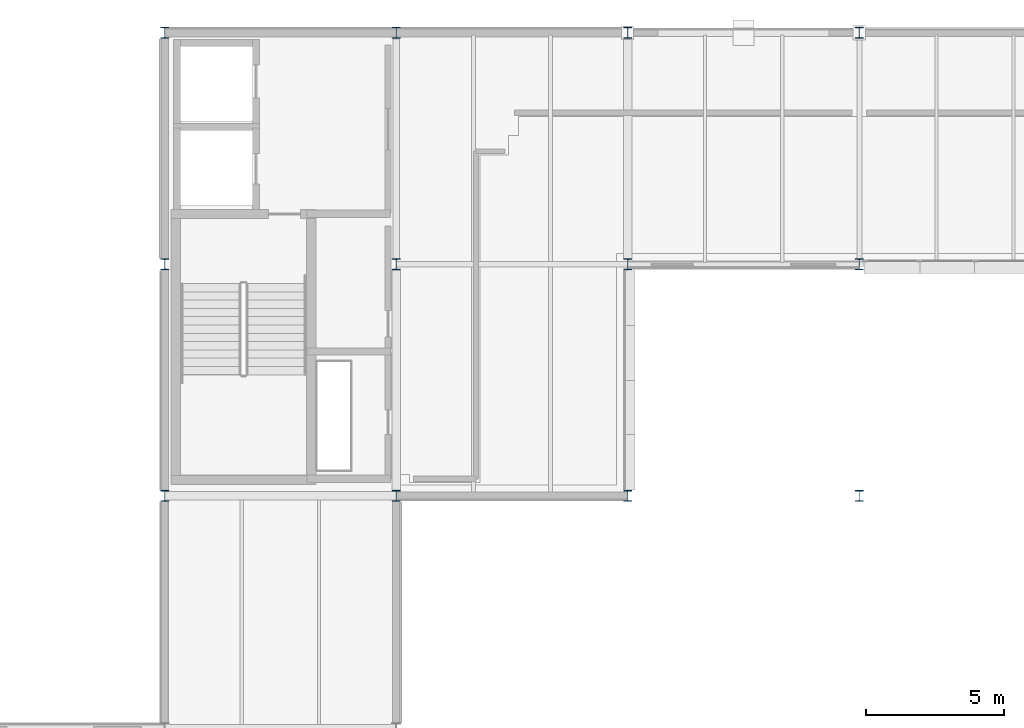
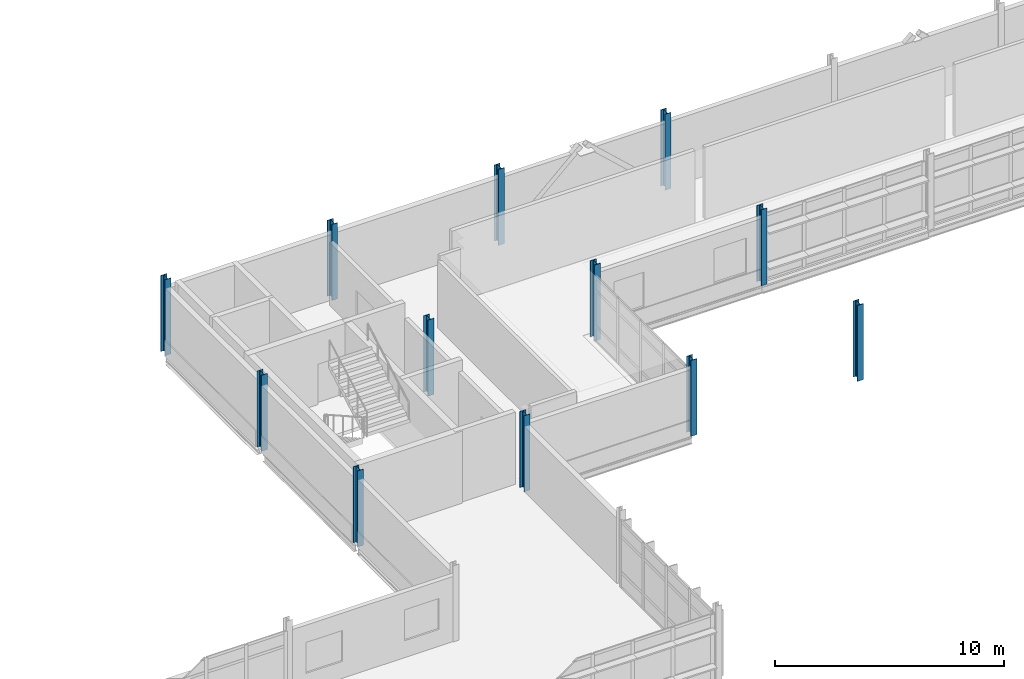
# One storey, part 5 of 103: 12 columns.
"""IFC4 building model written with IfcOpenShell, lengths in metres."""

from ifc_helpers import new_model, si_unit, direction, frame, origin, origin_2d, place, context, subcontext, project, spatial, i_section, extrude, material, material_profile, profile_set, type_object, element, save


model = new_model("IFC4")

# Units and contexts
model_context = context("Model", 3, precision=1e-05, world=origin(), true_north=direction((0.0, 1.0)))
body_context = subcontext(model_context, "Body", "Model", "MODEL_VIEW")
ifc_project = project(units=[si_unit("LENGTHUNIT", "METRE"), si_unit("AREAUNIT", "SQUARE_METRE"), si_unit("VOLUMEUNIT", "CUBIC_METRE"), si_unit("PLANEANGLEUNIT", "RADIAN"), si_unit("MASSUNIT", "GRAM", prefix="KILO")], contexts=[model_context])

# Site, building, storey
site_placement = place(None, origin())
site = spatial("IfcSite", under=ifc_project, at=site_placement, CompositionType="ELEMENT")
building_placement = place(site_placement, origin())
building = spatial("IfcBuilding", under=site, at=building_placement, Name="Mersafa Astral City Hall", CompositionType="ELEMENT")
storey_placement = place(building_placement, frame((0.0, 0.0, 18.0)))
storey = spatial("IfcBuildingStorey", under=building, at=storey_placement, Name="L04", CompositionType="ELEMENT", Elevation=18.0)

# Columns
ifc_material = material(Name="Steel S355", Category="steel")
ifc_material_profile = material_profile(ifc_material, i_section(OverallWidth=0.300048828125, OverallDepth=0.39990234375, WebThickness=0.013427734375, FlangeThickness=0.02392578125, FilletRadius=0.027099609375, at=origin_2d()), Name="HEB 400")
ifc_profile_set = profile_set([ifc_material_profile], Name="Steel S355")
column_type = type_object("IfcColumnType", Name="STR-COL-HEB400", PredefinedType="COLUMN", material=ifc_profile_set)
for number, where, z_axis, x_axis, name in (
    (1, (42.0, 109.199951171875, 0.0), (0.0, 0.0, 1.0), (1.0, 0.0, 0.0), "L04 Structural column G-05-13"),
    (2, (42.0, 117.60009765625, 0.0), (0.0, 0.0, 1.0), (1.0, 0.0, 0.0), "L04 Structural column G-05-14"),
    (3, (42.0, 126.0, 0.0), (0.0, 0.0, 1.0), (1.0, 0.0, 0.0), "L04 Structural column G-05-15"),
    (4, (50.39990234375, 109.199951171875, 0.0), (0.0, 0.0, 1.0), (1.0, 0.0, 0.0), "L04 Structural column G-06-13"),
    (5, (50.39990234375, 117.60009765625, 0.0), (0.0, 0.0, 1.0), (1.0, 0.0, 0.0), "L04 Structural column G-06-14"),
    (6, (50.39990234375, 126.0, 0.0), (0.0, 0.0, 1.0), (1.0, 0.0, 0.0), "L04 Structural column G-06-15"),
    (7, (58.800048828125, 109.199951171875, 0.0), (0.0, 0.0, 1.0), (1.0, 0.0, 0.0), "L04 Structural column G-07-13"),
    (8, (58.800048828125, 117.60009765625, 0.0), (0.0, 0.0, 1.0), (1.0, 0.0, 0.0), "L04 Structural column G-07-14"),
    (9, (58.800048828125, 126.0, 0.0), (0.0, 0.0, 1.0), (1.0, 0.0, 0.0), "L04 Structural column G-07-15"),
    (10, (67.199951171875, 109.199951171875, 0.0), (0.0, 0.0, 1.0), (1.0, 0.0, 0.0), "L04 Structural column G-08-13"),
    (11, (67.199951171875, 117.60009765625, 0.0), (0.0, 0.0, 1.0), (1.0, 0.0, 0.0), "L04 Structural column G-08-14"),
    (12, (67.199951171875, 126.0, 0.0), (0.0, 0.0, 1.0), (1.0, 0.0, 0.0), "L04 Structural column G-08-15"),
):
    element("IfcColumn", number, at=place(storey_placement, frame(where, z_axis=z_axis, x_axis=x_axis)), inside=storey, type_object=column_type, Name=name, PredefinedType="COLUMN", context=body_context, shape_type="SweptSolid", body=[
        extrude(i_section(OverallWidth=0.300048828125, OverallDepth=0.39990234375, WebThickness=0.013427734375, FlangeThickness=0.02392578125, FilletRadius=0.027099609375, at=origin_2d()), origin(), (0.0, 0.0, 1.0), 4.050048828125),
    ])

save(model, "model.ifc")
